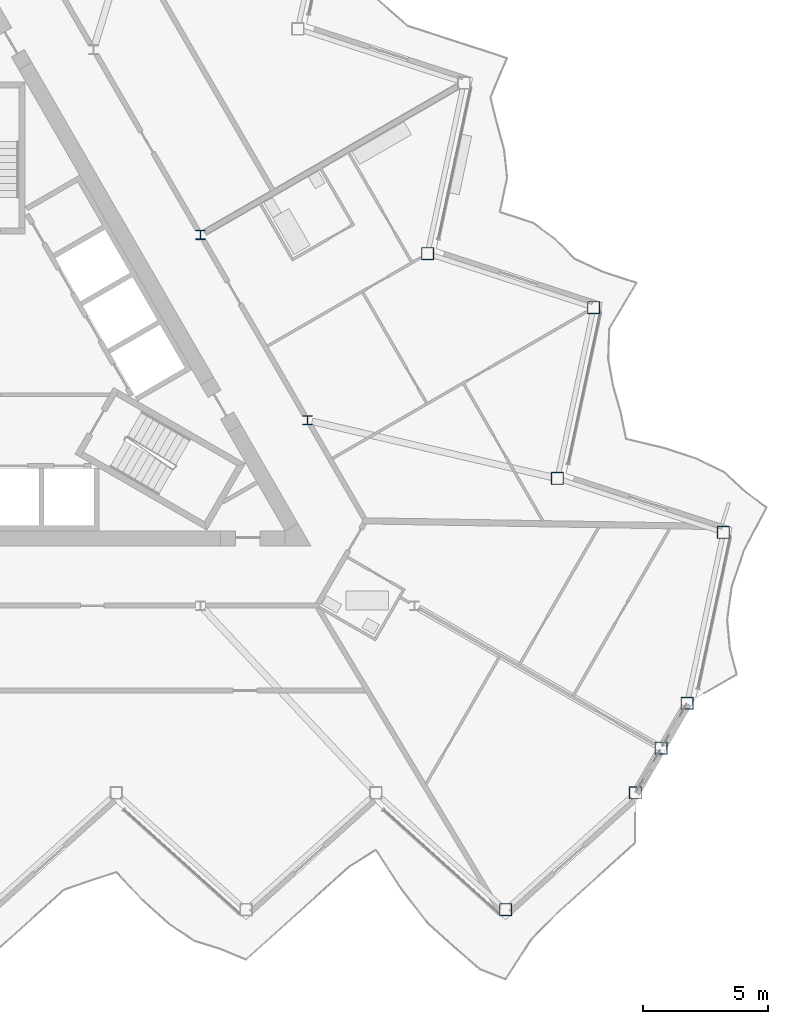
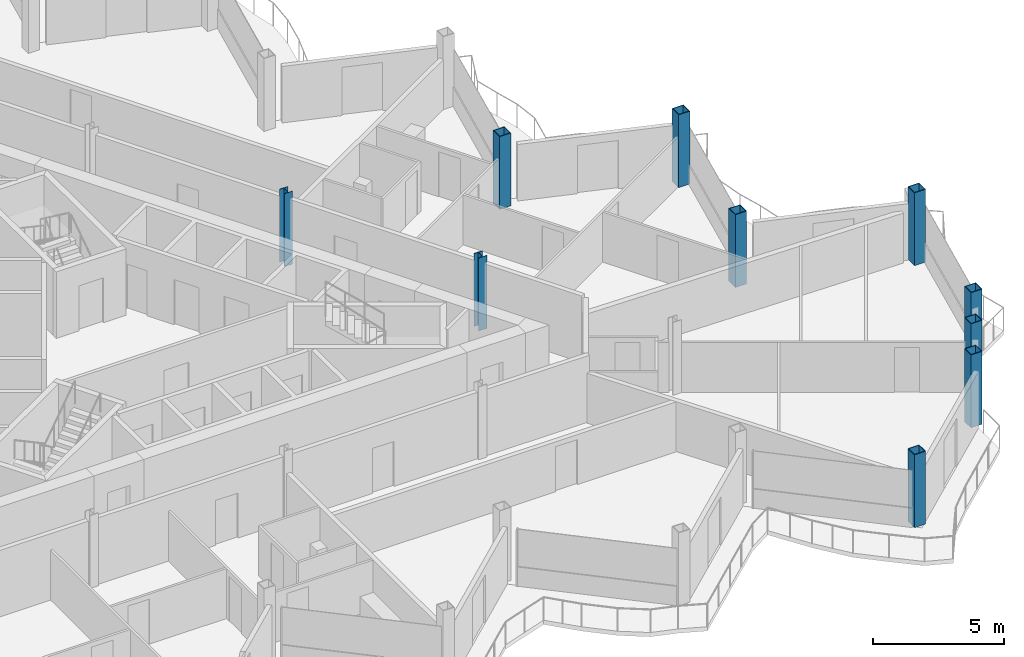
# One storey, part 2 of 26: 10 columns.
"""IFC4 building model written with IfcOpenShell, lengths in metres."""

from ifc_helpers import new_model, si_unit, direction, frame, origin, origin_2d, place, context, subcontext, project, spatial, hollow_rectangle, i_section, extrude, material, material_profile, profile_set, type_object, element, save


model = new_model("IFC4")

# Units and contexts
model_context = context("Model", 3, precision=1e-05, world=origin(), true_north=direction((0.0, 1.0)))
body_context = subcontext(model_context, "Body", "Model", "MODEL_VIEW")
ifc_project = project(units=[si_unit("LENGTHUNIT", "METRE"), si_unit("AREAUNIT", "SQUARE_METRE"), si_unit("VOLUMEUNIT", "CUBIC_METRE"), si_unit("PLANEANGLEUNIT", "RADIAN"), si_unit("MASSUNIT", "GRAM", prefix="KILO")], contexts=[model_context])

# Site, building, storey
site_placement = place(None, origin())
site = spatial("IfcSite", under=ifc_project, at=site_placement, CompositionType="ELEMENT")
building_placement = place(site_placement, origin())
building = spatial("IfcBuilding", under=site, at=building_placement, Name="Cormorant Prow Tower", CompositionType="ELEMENT")
storey_placement = place(building_placement, frame((0.0, 0.0, 384.800048828125)))
storey = spatial("IfcBuildingStorey", under=building, at=storey_placement, Name="L87", CompositionType="ELEMENT", Elevation=384.800048828125)

# Columns
ifc_material_1 = material(Name="Structural steel ASTM A572 Gr 50", Category="steel")
ifc_material_profile_1 = material_profile(ifc_material_1, hollow_rectangle(XDim=0.5, YDim=0.5, WallThickness=0.030029296875, at=origin_2d()), Name="Box 500x500x30")
ifc_profile_set_1 = profile_set([ifc_material_profile_1], Name="Structural steel ASTM A572 Gr 50")
column_type_1 = type_object("IfcColumnType", Name="Perimeter box column 500x500x30", PredefinedType="COLUMN", material=ifc_profile_set_1)
for number, where, z_axis, x_axis, name in (
    (1, (20.800048828125, -22.087890625, 0.0), (0.0, 0.0, 1.0), (1.0, 0.0, 0.0), "Perimeter column C7 at S09 L87"),
    (2, (26.0, -17.40576171875, 0.0), (0.0, 0.0, 1.0), (1.0, 0.0, 0.0), "Perimeter column C7 at ESE00 L87"),
    (3, (27.036865234375, -15.60986328125, 0.0), (0.0, 0.0, 1.0), (1.0, 0.0, 0.0), "Perimeter column C7 at ESE01 L87"),
    (4, (28.07373046875, -13.813720703125, 0.0), (0.0, 0.0, 1.0), (1.0, 0.0, 0.0), "Perimeter column C7 at ENE00 L87"),
    (5, (29.528564453125, -6.969482421875, 0.0), (0.0, 0.0, 1.0), (1.0, 0.0, 0.0), "Perimeter column C7 at ENE01 L87"),
    (6, (22.873779296875, -4.80712890625, 0.0), (0.0, 0.0, 1.0), (1.0, 0.0, 0.0), "Perimeter column C7 at ENE02 L87"),
    (7, (24.32861328125, 2.037353515625, 0.0), (0.0, 0.0, 1.0), (1.0, 0.0, 0.0), "Perimeter column C7 at ENE03 L87"),
    (8, (17.673828125, 4.199462890625, 0.0), (0.0, 0.0, 1.0), (1.0, 0.0, 0.0), "Perimeter column C7 at ENE04 L87"),
):
    element("IfcColumn", number, at=place(storey_placement, frame(where, z_axis=z_axis, x_axis=x_axis)), inside=storey, type_object=column_type_1, Name=name, PredefinedType="COLUMN", context=body_context, shape_type="SweptSolid", body=[
        extrude(hollow_rectangle(XDim=0.5, YDim=0.5, WallThickness=0.030029296875, at=origin_2d()), origin(), (0.0, 0.0, 1.0), 3.39990234375),
    ])
ifc_material_2 = material(Name="Structural steel ASTM A992 Gr 50", Category="steel")
ifc_material_profile_2 = material_profile(ifc_material_2, i_section(OverallWidth=0.3740234375, OverallDepth=0.372314453125, WebThickness=0.016357421875, FlangeThickness=0.026123046875, at=origin_2d()), Name="W14x132")
ifc_profile_set_2 = profile_set([ifc_material_profile_2], Name="Structural steel ASTM A992 Gr 50")
column_type_2 = type_object("IfcColumnType", Name="Ring column W14x132", PredefinedType="COLUMN", material=ifc_profile_set_2)
for number, where, z_axis, x_axis, name in (
    (9, (12.86767578125, -2.476318359375, 0.0), (0.0, 0.0, 1.0), (1.0, 0.0, 0.0), "Ring column 10 L87"),
    (10, (8.578369140625, 4.952880859375, 0.0), (0.0, 0.0, 1.0), (1.0, 0.0, 0.0), "Ring column 11 L87"),
):
    element("IfcColumn", number, at=place(storey_placement, frame(where, z_axis=z_axis, x_axis=x_axis)), inside=storey, type_object=column_type_2, Name=name, PredefinedType="COLUMN", context=body_context, shape_type="SweptSolid", body=[
        extrude(i_section(OverallWidth=0.3740234375, OverallDepth=0.372314453125, WebThickness=0.016357421875, FlangeThickness=0.026123046875, at=origin_2d()), origin(), (0.0, 0.0, 1.0), 3.39990234375),
    ])

save(model, "model.ifc")
